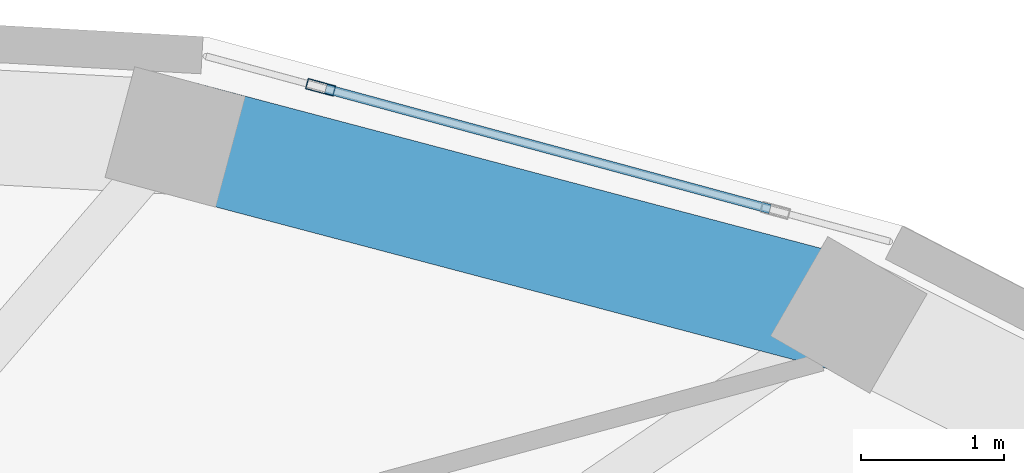
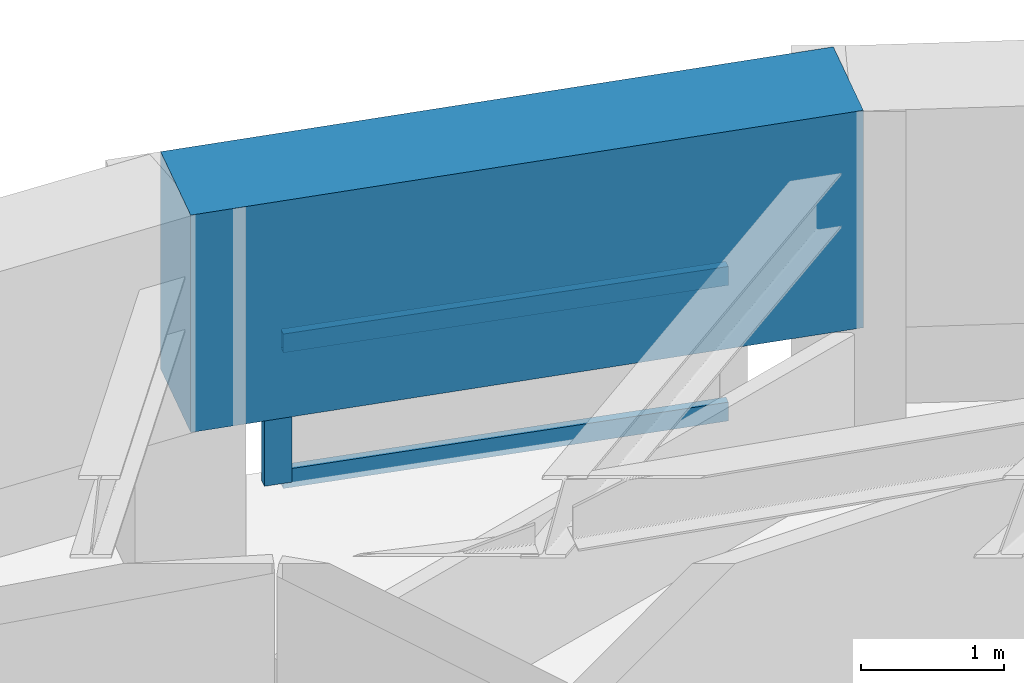
# One storey, part 8 of 19: 3 members, 1 beam, 1 element without a shape of its own.
"""IFC4 building model written with IfcOpenShell, lengths in metres."""

from ifc_helpers import new_model, si_unit, direction, frame, origin, origin_2d, place, context, subcontext, project, spatial, rectangle, hollow_rectangle, extrude, material, layer, layer_set, material_profile, profile_set, type_object, element, aggregate, save


model = new_model("IFC4")

# Units and contexts
model_context = context("Model", 3, precision=1e-05, world=origin(), true_north=direction((0.0, 1.0)))
body_context = subcontext(model_context, "Body", "Model", "MODEL_VIEW")
ifc_project = project(units=[si_unit("LENGTHUNIT", "METRE"), si_unit("AREAUNIT", "SQUARE_METRE"), si_unit("VOLUMEUNIT", "CUBIC_METRE"), si_unit("PLANEANGLEUNIT", "RADIAN"), si_unit("MASSUNIT", "GRAM", prefix="KILO")], contexts=[model_context])

# Site, building, storey
site_placement = place(None, origin())
site = spatial("IfcSite", under=ifc_project, at=site_placement, CompositionType="ELEMENT")
building_placement = place(site_placement, origin())
building = spatial("IfcBuilding", under=site, at=building_placement, Name="Solvane Sanctuary Tower", CompositionType="ELEMENT")
storey_placement = place(building_placement, frame((0.0, 0.0, 207.800048828125)))
storey = spatial("IfcBuildingStorey", under=building, at=storey_placement, Name="L63", CompositionType="ELEMENT", Elevation=207.800048828125)

# Beam
ifc_material_1 = material(Name="Concrete C70/85", Category="concrete")
ifc_material_profile_1 = material_profile(ifc_material_1, rectangle(XDim=0.800048828125, YDim=1.85009765625, at=origin_2d()), Name="RC800X1850")
ifc_profile_set_1 = profile_set([ifc_material_profile_1], Name="Concrete C70/85")
beam_type = type_object("IfcBeamType", Name="Beam B-XFER-BLK RC800X1850", PredefinedType="BEAM", material=ifc_profile_set_1)
beam_placement = place(storey_placement, frame((38.856201171875, 36.914306640625, 2.175048828125), z_axis=(0.966814415535, -0.255479717224, 0.0), x_axis=(0.255479717224, 0.966814415535, 0.0)))
element("IfcBeam", 1, at=beam_placement, inside=storey, type_object=beam_type, Name="L63 Perimeter Step Transfer Ring NTC03-NTC02", PredefinedType="BEAM", context=body_context, shape_type="SweptSolid", body=[
    extrude(rectangle(XDim=0.800048828125, YDim=1.85009765625, at=origin_2d()), origin(), (0.0, 0.0, 1.0), 4.8603515625),
])

# Curtain wall, members
ifc_material_2 = material(Name="Anodised Aluminium 6063-T6", Category="aluminium")
ifc_layer = layer(ifc_material_2, 0.18994140625, Name="Anodised Aluminium 6063-T6")
ifc_layer_set = layer_set([ifc_layer], Name="Anodised Aluminium 6063-T6")
curtain_wall_type = type_object("IfcCurtainWallType", Name="Curtain Wall CW-OPER", PredefinedType="NOTDEFINED", material=ifc_layer_set)
curtain_wall_placement = place(storey_placement, origin())
curtain_wall = element("IfcCurtainWall", 2, at=curtain_wall_placement, inside=storey, type_object=curtain_wall_type, Name="L63 CW-OPER Facade Run 04", PredefinedType="NOTDEFINED")
ifc_material_profile_2 = material_profile(ifc_material_2, hollow_rectangle(XDim=0.074951171875, YDim=0.199951171875, WallThickness=0.00390625, at=origin_2d()), Name="ALU200X75X4")
ifc_profile_set_2 = profile_set([ifc_material_profile_2], Name="Anodised Aluminium 6063-T6")
member_type_1 = type_object("IfcMemberType", Name="Member M-CW-MUL-1 ALU200X75X4", PredefinedType="MULLION", material=ifc_profile_set_2)
member_1_placement = place(storey_placement, frame((39.87060546875, 37.260498046875, 0.0), z_axis=(0.0, 0.0, 1.0), x_axis=(-0.261468027073, -0.965212137728, 0.0)))
member_1 = element("IfcMember", 3, at=member_1_placement, type_object=member_type_1, Name="CW-OPER mullion 2", PredefinedType="MULLION", context=body_context, shape_type="SweptSolid", body=[
    extrude(hollow_rectangle(XDim=0.074951171875, YDim=0.199951171875, WallThickness=0.00390625, at=origin_2d()), origin(), (0.0, 0.0, 1.0), 1.219970703125),
])
ifc_material_profile_3 = material_profile(ifc_material_2, hollow_rectangle(XDim=0.06494140625, YDim=0.159912109375, WallThickness=0.00341796875, at=origin_2d()), Name="ALU160X65X3.5")
ifc_profile_set_3 = profile_set([ifc_material_profile_3], Name="Anodised Aluminium 6063-T6")
member_type_2 = type_object("IfcMemberType", Name="Member M-CW-TRN-1 ALU160X65X3.5", PredefinedType="USERDEFINED", material=ifc_profile_set_3)
member_2_placement = place(storey_placement, frame((43.006103515625, 36.4111328125, 0.032470703125), z_axis=(-0.965206383787, 0.261489266885, 0.0), x_axis=(-0.261489266885, -0.965206383787, 0.0)))
member_2 = element("IfcMember", 4, at=member_2_placement, type_object=member_type_2, Name="CW-OPER transom 1.1", ObjectType="TRANSOM", PredefinedType="USERDEFINED", context=body_context, shape_type="SweptSolid", body=[
    extrude(hollow_rectangle(XDim=0.06494140625, YDim=0.159912109375, WallThickness=0.00341796875, at=origin_2d()), origin(), (0.0, 0.0, 1.0), 3.2109375),
])
member_3_placement = place(storey_placement, frame((43.006103515625, 36.4111328125, 1.1875), z_axis=(-0.965206383787, 0.261489266885, 0.0), x_axis=(-0.261489266885, -0.965206383787, 0.0)))
member_3 = element("IfcMember", 5, at=member_3_placement, type_object=member_type_2, Name="CW-OPER transom 1.2", ObjectType="TRANSOM", PredefinedType="USERDEFINED", context=body_context, shape_type="SweptSolid", body=[
    extrude(hollow_rectangle(XDim=0.06494140625, YDim=0.159912109375, WallThickness=0.00341796875, at=origin_2d()), origin(), (0.0, 0.0, 1.0), 3.2109375),
])
aggregate(curtain_wall, [member_1, member_2, member_3])

save(model, "model.ifc")
